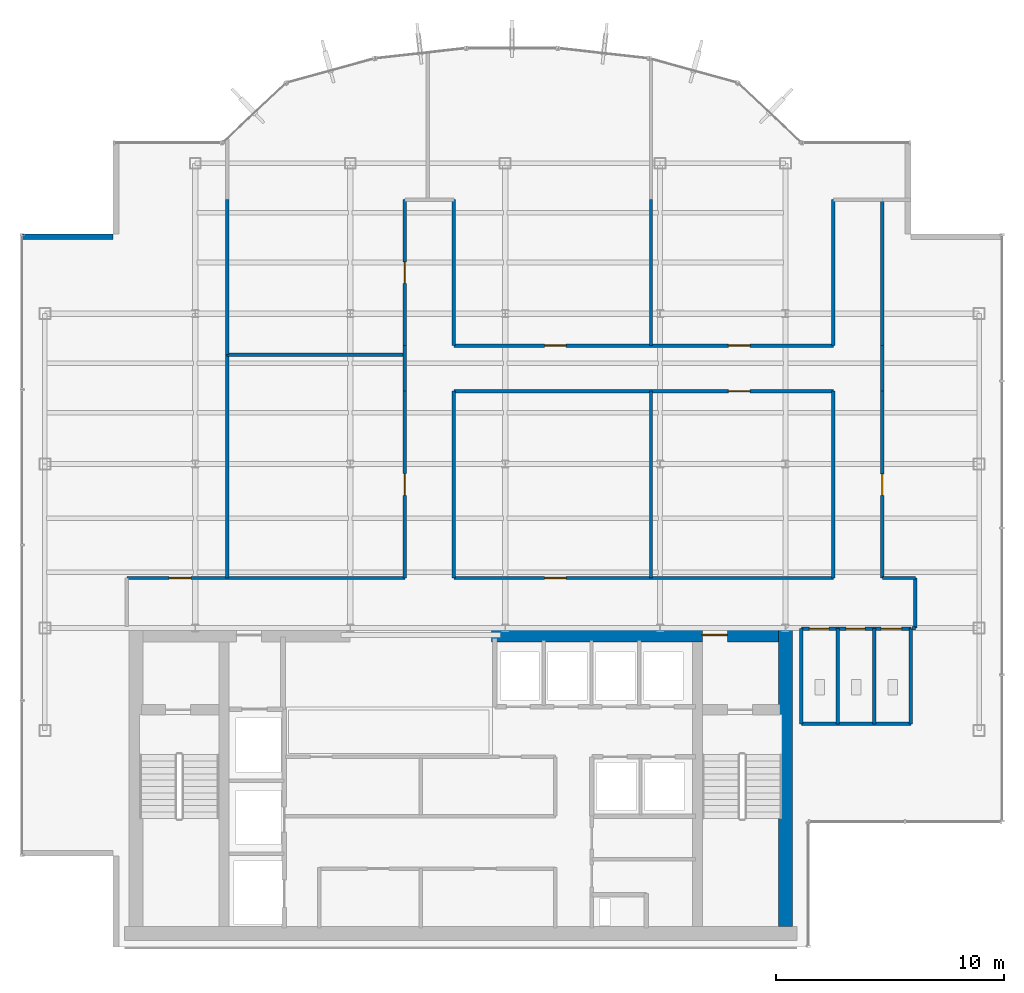
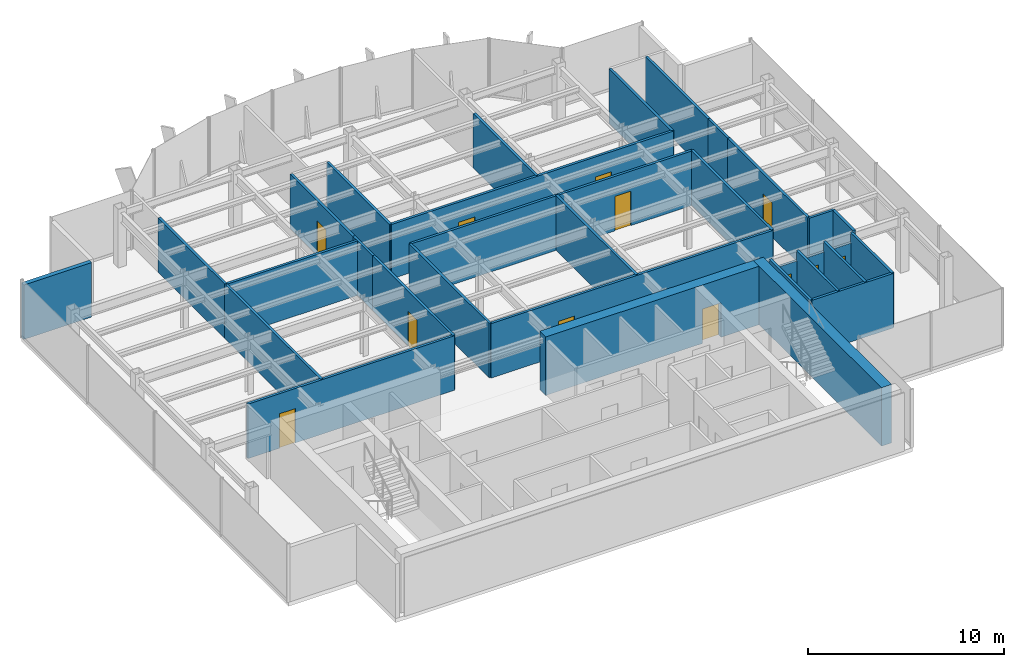
# One storey, part 18 of 22: 31 walls, 12 doors, 12 openings.
"""IFC4 building model written with IfcOpenShell, lengths in metres."""

from ifc_helpers import new_model, si_unit, derived_unit, direction, frame, frame_2d, origin, place, context, subcontext, project, spatial, rectangle, extrude, source, transform, mapped, material, layer, layer_set, type_object, element, fill, save


model = new_model("IFC4")

# Units and contexts
model_context = context("Model", 3, precision=1e-05, world=origin(), true_north=direction((0.0, 1.0)))
body_context = subcontext(model_context, "Body", "Model", "MODEL_VIEW")
ifc_project = project(units=[si_unit("LENGTHUNIT", "METRE"), si_unit("AREAUNIT", "SQUARE_METRE"), si_unit("VOLUMEUNIT", "CUBIC_METRE"), si_unit("PLANEANGLEUNIT", "RADIAN"), si_unit("MASSUNIT", "GRAM", prefix="KILO"), derived_unit("THERMALTRANSMITTANCEUNIT", [(si_unit("POWERUNIT", "WATT"), 1), (si_unit("LENGTHUNIT", "METRE"), -2), (si_unit("THERMODYNAMICTEMPERATUREUNIT", "KELVIN"), -1)])], contexts=[model_context])

# Site, building, storey
site_placement = place(None, origin())
site = spatial("IfcSite", under=ifc_project, at=site_placement, CompositionType="ELEMENT")
building_placement = place(site_placement, origin())
building = spatial("IfcBuilding", under=site, at=building_placement, Name="Skarnbrae Concourse Arena and Tower", CompositionType="ELEMENT")
storey_placement = place(building_placement, frame((0.0, 0.0, 280.699951171875)))
storey = spatial("IfcBuildingStorey", under=building, at=storey_placement, Name="L73", CompositionType="ELEMENT", Elevation=280.699951171875)

# Wall
ifc_material_1 = material(Name="Concrete 50 MPa (C50/60)", Category="concrete")
ifc_layer_1 = layer(ifc_material_1, 0.60009765625)
ifc_layer_set_1 = layer_set([ifc_layer_1], Name="Concrete 50 MPa (C50/60)")
wall_type_1 = type_object("IfcWallType", Name="WALL-CORE-600-C50", PredefinedType="SHEAR", material=ifc_layer_set_1)
shared_shape_1 = source(origin(), body_context, "Body", "SweptSolid", [
    extrude(rectangle(XDim=13.10009765625, YDim=0.60009765625, at=frame_2d((6.550048828125, 0.0))), origin(), (0.0, 0.0, 1.0), 3.650146484375),
])
wall_1_placement = place(storey_placement, frame((33.5, 0.89990234375, 0.0), z_axis=(0.0, 0.0, 1.0), x_axis=(0.0, 1.0, 0.0)))
element("IfcWall", 1, at=wall_1_placement, inside=storey, type_object=wall_type_1, Name="L73 Rear core shear wall CW-E", PredefinedType="SHEAR", context=body_context, shape_type="MappedRepresentation", body=[
    mapped(shared_shape_1, transform((0.0, 0.0, 0.0))),
])

# Wall, opening, door
shared_shape_2 = source(origin(), body_context, "Body", "SweptSolid", [
    extrude(rectangle(XDim=12.599853515625, YDim=0.60009765625, at=frame_2d((6.2998046875, 0.0))), origin(), (0.0, 0.0, 1.0), 3.650146484375),
])
wall_2_placement = place(storey_placement, frame((20.60009765625, 13.699951171875, 0.0), z_axis=(0.0, 0.0, 1.0), x_axis=(1.0, 0.0, 0.0)))
wall_2 = element("IfcWall", 2, at=wall_2_placement, inside=storey, type_object=wall_type_1, Name="L73 Rear core shear wall CW-NE", PredefinedType="SHEAR", context=body_context, shape_type="MappedRepresentation", body=[
    mapped(shared_shape_2, transform((0.0, 0.0, 0.0))),
])
opening_1_placement = place(wall_2_placement, frame((9.25, 0.0, 0.0)))
opening_1 = element("IfcOpeningElement", 3, at=opening_1_placement, cuts=wall_2, Name="Opening DT-03", PredefinedType="OPENING", context=body_context, shape_type="SweptSolid", body=[
    extrude(rectangle(XDim=1.10009765625, YDim=2.14990234375, at=frame_2d((0.550048828125, 1.074951171875))), frame((0.0, 0.31005859375, 0.0), z_axis=(0.0, -1.0, 0.0), x_axis=(1.0, 0.0, 0.0)), (0.0, 0.0, 1.0), 0.6201171875),
])
ifc_material_2 = material(Name="Steel CSA G40.21 350W", Category="steel")
door_type_1 = type_object("IfcDoorType", Name="DOOR-FIRE-1100-90M", OperationType="NOTDEFINED", PredefinedType="DOOR", material=ifc_material_2)
shared_shape_3 = source(origin(), body_context, "Body", "SweptSolid", [
    extrude(rectangle(XDim=1.10009765625, YDim=2.14990234375, at=frame_2d((0.550048828125, 1.074951171875))), frame((0.0, 0.02490234375, 0.0), z_axis=(0.0, -1.0, 0.0), x_axis=(1.0, 0.0, 0.0)), (0.0, 0.0, 1.0), 0.050048828125),
])
door_1_placement = place(opening_1_placement, origin())
door_1 = element("IfcDoor", 4, at=door_1_placement, inside=storey, type_object=door_type_1, Name="D-2205 Stair ST-2 Vestibule Door", OperationType="SINGLE_SWING_LEFT", OverallHeight=2.14990234375, OverallWidth=1.10009765625, PredefinedType="DOOR", context=body_context, shape_type="MappedRepresentation", body=[
    mapped(shared_shape_3, transform((0.0, 0.0, 0.0))),
])
fill(opening_1, door_1)

# Walls
ifc_material_3 = material(Name="Precast concrete 40 MPa (C40/50)", Category="concrete")
ifc_layer_2 = layer(ifc_material_3, 0.25)
ifc_layer_set_2 = layer_set([ifc_layer_2], Name="Precast concrete 40 MPa (C40/50)")
wall_type_2 = type_object("IfcWallType", Name="WALL-EXT-SPANDREL-250", PredefinedType="STANDARD", material=ifc_layer_set_2)
shared_shape_4 = source(origin(), body_context, "Body", "SweptSolid", [
    extrude(rectangle(XDim=4.0, YDim=0.25, at=frame_2d((2.0, 0.0))), origin(), (0.0, 0.0, 1.0), 3.400146484375),
])
wall_3_placement = place(storey_placement, frame((4.0, 31.175048828125, 0.0), z_axis=(0.0, 0.0, 1.0), x_axis=(-1.0, 0.0, 0.0)))
element("IfcWall", 5, at=wall_3_placement, inside=storey, type_object=wall_type_2, Name="L73 Notched corner insulated return wall 17", PredefinedType="STANDARD", context=body_context, shape_type="MappedRepresentation", body=[
    mapped(shared_shape_4, transform((0.0, 0.0, 0.0))),
])
ifc_material_4 = material(Name="Gypsum board on cold-formed steel studs", Category="steel")
ifc_layer_3 = layer(ifc_material_4, 0.14990234375)
ifc_layer_set_3 = layer_set([ifc_layer_3], Name="Gypsum board on cold-formed steel studs")
wall_type_3 = type_object("IfcWallType", Name="WALL-PART-150", PredefinedType="PARTITIONING", material=ifc_layer_set_3)
shared_shape_5 = source(origin(), body_context, "Body", "SweptSolid", [
    extrude(rectangle(XDim=4.800048828125, YDim=0.14990234375, at=frame_2d((2.39990234375, 0.0))), origin(), (0.0, 0.0, 1.0), 3.400146484375),
])
wall_4_placement = place(storey_placement, frame((34.199951171875, 9.800048828125, 0.0), z_axis=(0.0, 0.0, 1.0), x_axis=(1.0, 0.0, 0.0)))
element("IfcWall", 6, at=wall_4_placement, inside=storey, type_object=wall_type_3, Name="L73 Interior partition wall W-L73-WC-S", PredefinedType="PARTITIONING", context=body_context, shape_type="MappedRepresentation", body=[
    mapped(shared_shape_5, transform((0.0, 0.0, 0.0))),
])
shared_shape_6 = source(origin(), body_context, "Body", "SweptSolid", [
    extrude(rectangle(XDim=4.179931640625, YDim=0.14990234375, at=frame_2d((2.08984375, 0.0))), origin(), (0.0, 0.0, 1.0), 3.400146484375),
])
for number, where, z_axis, x_axis, name in (
    (7, (39.0, 9.800048828125, 0.0), (0.0, 0.0, 1.0), (0.0, 1.0, 0.0), "L73 Interior partition wall W-L73-WC-E"),
    (8, (34.199951171875, 9.800048828125, 0.0), (0.0, 0.0, 1.0), (0.0, 1.0, 0.0), "L73 Interior partition wall W-L73-WC-W"),
    (9, (35.800048828125, 9.800048828125, 0.0), (0.0, 0.0, 1.0), (0.0, 1.0, 0.0), "L73 Interior partition wall W-L73-WC-D1"),
    (10, (37.39990234375, 9.800048828125, 0.0), (0.0, 0.0, 1.0), (0.0, 1.0, 0.0), "L73 Interior partition wall W-L73-WC-D2"),
):
    element("IfcWall", number, at=place(storey_placement, frame(where, z_axis=z_axis, x_axis=x_axis)), inside=storey, type_object=wall_type_3, Name=name, PredefinedType="PARTITIONING", context=body_context, shape_type="MappedRepresentation", body=[
        mapped(shared_shape_6, transform((0.0, 0.0, 0.0))),
    ])

# Wall, opening, door
ifc_layer_4 = layer(ifc_material_4, 0.14990234375)
ifc_layer_set_4 = layer_set([ifc_layer_4], Name="Gypsum board on cold-formed steel studs")
wall_type_4 = type_object("IfcWallType", Name="WALL-PART-150-1HR", PredefinedType="PARTITIONING", material=ifc_layer_set_4)
shared_shape_7 = source(origin(), body_context, "Body", "SweptSolid", [
    extrude(rectangle(XDim=6.400146484375, YDim=0.14990234375, at=frame_2d((3.2001953125, 0.0))), origin(), (0.0, 0.0, 1.0), 3.400146484375),
])
wall_5_placement = place(storey_placement, frame((16.800048828125, 26.39990234375, 0.0), z_axis=(0.0, 0.0, 1.0), x_axis=(0.0, 1.0, 0.0)))
wall_5 = element("IfcWall", 11, at=wall_5_placement, inside=storey, type_object=wall_type_4, Name="L73 Interior partition wall W-L73-COR-05", PredefinedType="PARTITIONING", context=body_context, shape_type="MappedRepresentation", body=[
    mapped(shared_shape_7, transform((0.0, 0.0, 0.0))),
])
opening_2_placement = place(wall_5_placement, frame((2.72509765625, 0.0, 0.0)))
opening_2 = element("IfcOpeningElement", 12, at=opening_2_placement, cuts=wall_5, Name="Opening DT-04", PredefinedType="OPENING", context=body_context, shape_type="SweptSolid", body=[
    extrude(rectangle(XDim=0.949951171875, YDim=2.14990234375, at=frame_2d((0.47509765625, 1.074951171875))), frame((0.0, 0.0849609375, 0.0), z_axis=(0.0, -1.0, 0.0), x_axis=(1.0, 0.0, 0.0)), (0.0, 0.0, 1.0), 0.169921875),
])
door_type_2 = type_object("IfcDoorType", Name="DOOR-INT-950-45M", OperationType="NOTDEFINED", PredefinedType="DOOR", material=ifc_material_2)
shared_shape_8 = source(origin(), body_context, "Body", "SweptSolid", [
    extrude(rectangle(XDim=0.949951171875, YDim=2.14990234375, at=frame_2d((0.47509765625, 1.074951171875))), frame((0.0, 0.02490234375, 0.0), z_axis=(0.0, -1.0, 0.0), x_axis=(1.0, 0.0, 0.0)), (0.0, 0.0, 1.0), 0.050048828125),
])
door_2_placement = place(opening_2_placement, origin())
door_2 = element("IfcDoor", 13, at=door_2_placement, inside=storey, type_object=door_type_2, Name="D-2226 L73 Suite Door 03", OperationType="SINGLE_SWING_LEFT", OverallHeight=2.14990234375, OverallWidth=0.949951171875, PredefinedType="DOOR", context=body_context, shape_type="MappedRepresentation", body=[
    mapped(shared_shape_8, transform((0.0, 0.0, 0.0))),
])
fill(opening_2, door_2)

# Walls
for number, where, z_axis, x_axis, name in (
    (14, (18.949951171875, 32.800048828125, 0.0), (0.0, 0.0, 1.0), (0.0, -1.0, 0.0), "L73 Interior partition wall W-L73-COR-07"),
    (15, (35.60009765625, 26.39990234375, 0.0), (0.0, 0.0, 1.0), (0.0, 1.0, 0.0), "L73 Interior partition wall W-L73-COR-09"),
    (16, (37.75, 32.800048828125, 0.0), (0.0, 0.0, 1.0), (0.0, -1.0, 0.0), "L73 Interior partition wall W-L73-COR-11"),
):
    element("IfcWall", number, at=place(storey_placement, frame(where, z_axis=z_axis, x_axis=x_axis)), inside=storey, type_object=wall_type_4, Name=name, PredefinedType="PARTITIONING", context=body_context, shape_type="MappedRepresentation", body=[
        mapped(shared_shape_7, transform((0.0, 0.0, 0.0))),
    ])
wall_6_placement = place(storey_placement, frame((27.60009765625, 32.800048828125, 0.0), z_axis=(0.0, 0.0, 1.0), x_axis=(0.0, -1.0, 0.0)))
element("IfcWall", 17, at=wall_6_placement, inside=storey, type_object=wall_type_3, Name="L73 Interior partition wall W-L73-DEM-28", PredefinedType="PARTITIONING", context=body_context, shape_type="MappedRepresentation", body=[
    mapped(shared_shape_7, transform((0.0, 0.0, 0.0))),
])
shared_shape_9 = source(origin(), body_context, "Body", "SweptSolid", [
    extrude(rectangle(XDim=2.199951171875, YDim=0.14990234375, at=frame_2d((1.10009765625, 0.0))), origin(), (0.0, 0.0, 1.0), 3.400146484375),
])
wall_7_placement = place(storey_placement, frame((39.199951171875, 16.199951171875, 0.0), z_axis=(0.0, 0.0, 1.0), x_axis=(0.0, -1.0, 0.0)))
element("IfcWall", 18, at=wall_7_placement, inside=storey, type_object=wall_type_4, Name="L73 Interior partition wall W-L73-COR-15", PredefinedType="PARTITIONING", context=body_context, shape_type="MappedRepresentation", body=[
    mapped(shared_shape_9, transform((0.0, 0.0, 0.0))),
])
shared_shape_10 = source(origin(), body_context, "Body", "SweptSolid", [
    extrude(rectangle(XDim=7.800048828125, YDim=0.14990234375, at=frame_2d((3.89990234375, 0.0))), origin(), (0.0, 0.0, 1.0), 3.400146484375),
])
wall_8_placement = place(storey_placement, frame((9.0, 26.0, 0.0), z_axis=(0.0, 0.0, 1.0), x_axis=(1.0, 0.0, 0.0)))
element("IfcWall", 19, at=wall_8_placement, inside=storey, type_object=wall_type_3, Name="L73 Interior partition wall W-L73-DEM-22", PredefinedType="PARTITIONING", context=body_context, shape_type="MappedRepresentation", body=[
    mapped(shared_shape_10, transform((0.0, 0.0, 0.0))),
])

# Wall, opening, door
shared_shape_11 = source(origin(), body_context, "Body", "SweptSolid", [
    extrude(rectangle(XDim=8.199951171875, YDim=0.14990234375, at=frame_2d((4.10009765625, 0.0))), origin(), (0.0, 0.0, 1.0), 3.400146484375),
])
wall_9_placement = place(storey_placement, frame((16.800048828125, 16.199951171875, 0.0), z_axis=(0.0, 0.0, 1.0), x_axis=(0.0, 1.0, 0.0)))
wall_9 = element("IfcWall", 20, at=wall_9_placement, inside=storey, type_object=wall_type_4, Name="L73 Interior partition wall W-L73-COR-03", PredefinedType="PARTITIONING", context=body_context, shape_type="MappedRepresentation", body=[
    mapped(shared_shape_11, transform((0.0, 0.0, 0.0))),
])
opening_3_placement = place(wall_9_placement, frame((3.625, 0.0, 0.0)))
opening_3 = element("IfcOpeningElement", 21, at=opening_3_placement, cuts=wall_9, Name="Opening DT-04", PredefinedType="OPENING", context=body_context, shape_type="SweptSolid", body=[
    extrude(rectangle(XDim=0.949951171875, YDim=2.14990234375, at=frame_2d((0.47509765625, 1.074951171875))), frame((0.0, 0.0849609375, 0.0), z_axis=(0.0, -1.0, 0.0), x_axis=(1.0, 0.0, 0.0)), (0.0, 0.0, 1.0), 0.169921875),
])
door_3_placement = place(opening_3_placement, origin())
door_3 = element("IfcDoor", 22, at=door_3_placement, inside=storey, type_object=door_type_2, Name="D-2225 L73 Suite Door 02", OperationType="SINGLE_SWING_RIGHT", OverallHeight=2.14990234375, OverallWidth=0.949951171875, PredefinedType="DOOR", context=body_context, shape_type="MappedRepresentation", body=[
    mapped(shared_shape_8, transform((0.0, 0.0, 0.0))),
])
fill(opening_3, door_3)

wall_10_placement = place(storey_placement, frame((37.75, 24.39990234375, 0.0), z_axis=(0.0, 0.0, 1.0), x_axis=(0.0, -1.0, 0.0)))
wall_10 = element("IfcWall", 23, at=wall_10_placement, inside=storey, type_object=wall_type_4, Name="L73 Interior partition wall W-L73-COR-13", PredefinedType="PARTITIONING", context=body_context, shape_type="MappedRepresentation", body=[
    mapped(shared_shape_11, transform((0.0, 0.0, 0.0))),
])
opening_4_placement = place(wall_10_placement, frame((3.625, 0.0, 0.0)))
opening_4 = element("IfcOpeningElement", 24, at=opening_4_placement, cuts=wall_10, Name="Opening DT-04", PredefinedType="OPENING", context=body_context, shape_type="SweptSolid", body=[
    extrude(rectangle(XDim=0.949951171875, YDim=2.14990234375, at=frame_2d((0.47509765625, 1.074951171875))), frame((0.0, 0.0849609375, 0.0), z_axis=(0.0, -1.0, 0.0), x_axis=(1.0, 0.0, 0.0)), (0.0, 0.0, 1.0), 0.169921875),
])
door_4_placement = place(opening_4_placement, origin())
door_4 = element("IfcDoor", 25, at=door_4_placement, inside=storey, type_object=door_type_2, Name="D-2231 L73 Suite Door 08", OperationType="SINGLE_SWING_RIGHT", OverallHeight=2.14990234375, OverallWidth=0.949951171875, PredefinedType="DOOR", context=body_context, shape_type="MappedRepresentation", body=[
    mapped(shared_shape_8, transform((0.0, 0.0, 0.0))),
])
fill(opening_4, door_4)

# Walls
for number, where, z_axis, x_axis, name in (
    (26, (35.60009765625, 16.199951171875, 0.0), (0.0, 0.0, 1.0), (0.0, 1.0, 0.0), "L73 Interior partition wall W-L73-COR-18"),
    (27, (18.949951171875, 24.39990234375, 0.0), (0.0, 0.0, 1.0), (0.0, -1.0, 0.0), "L73 Interior partition wall W-L73-COR-20"),
):
    element("IfcWall", number, at=place(storey_placement, frame(where, z_axis=z_axis, x_axis=x_axis)), inside=storey, type_object=wall_type_4, Name=name, PredefinedType="PARTITIONING", context=body_context, shape_type="MappedRepresentation", body=[
        mapped(shared_shape_11, transform((0.0, 0.0, 0.0))),
    ])
wall_11_placement = place(storey_placement, frame((27.60009765625, 24.39990234375, 0.0), z_axis=(0.0, 0.0, 1.0), x_axis=(0.0, -1.0, 0.0)))
element("IfcWall", 28, at=wall_11_placement, inside=storey, type_object=wall_type_3, Name="L73 Interior partition wall W-L73-DEM-26", PredefinedType="PARTITIONING", context=body_context, shape_type="MappedRepresentation", body=[
    mapped(shared_shape_11, transform((0.0, 0.0, 0.0))),
])

# Wall, opening, door
shared_shape_12 = source(origin(), body_context, "Body", "SweptSolid", [
    extrude(rectangle(XDim=12.199951171875, YDim=0.14990234375, at=frame_2d((6.10009765625, 0.0))), origin(), (0.0, 0.0, 1.0), 3.400146484375),
])
wall_12_placement = place(storey_placement, frame((4.60009765625, 16.199951171875, 0.0), z_axis=(0.0, 0.0, 1.0), x_axis=(1.0, 0.0, 0.0)))
wall_12 = element("IfcWall", 29, at=wall_12_placement, inside=storey, type_object=wall_type_4, Name="L73 Interior partition wall W-L73-COR-02", PredefinedType="PARTITIONING", context=body_context, shape_type="MappedRepresentation", body=[
    mapped(shared_shape_12, transform((0.0, 0.0, 0.0))),
])
opening_5_placement = place(wall_12_placement, frame((1.85498046875, 0.0, 0.0)))
opening_5 = element("IfcOpeningElement", 30, at=opening_5_placement, cuts=wall_12, Name="Opening DT-04", PredefinedType="OPENING", context=body_context, shape_type="SweptSolid", body=[
    extrude(rectangle(XDim=0.949951171875, YDim=2.14990234375, at=frame_2d((0.47509765625, 1.074951171875))), frame((0.0, 0.0849609375, 0.0), z_axis=(0.0, -1.0, 0.0), x_axis=(1.0, 0.0, 0.0)), (0.0, 0.0, 1.0), 0.169921875),
])
door_5_placement = place(opening_5_placement, origin())
door_5 = element("IfcDoor", 31, at=door_5_placement, inside=storey, type_object=door_type_2, Name="D-2224 L73 Suite Door 01", OperationType="SINGLE_SWING_LEFT", OverallHeight=2.14990234375, OverallWidth=0.949951171875, PredefinedType="DOOR", context=body_context, shape_type="MappedRepresentation", body=[
    mapped(shared_shape_8, transform((0.0, 0.0, 0.0))),
])
fill(opening_5, door_5)

# Wall, openings, doors
shared_shape_13 = source(origin(), body_context, "Body", "SweptSolid", [
    extrude(rectangle(XDim=4.800048828125, YDim=0.14990234375, at=frame_2d((2.39990234375, 0.0))), origin(), (0.0, 0.0, 1.0), 2.787109375),
])
wall_13_placement = place(storey_placement, frame((34.199951171875, 13.97998046875, 0.0), z_axis=(0.0, 0.0, 1.0), x_axis=(1.0, 0.0, 0.0)))
wall_13 = element("IfcWall", 32, at=wall_13_placement, inside=storey, type_object=wall_type_3, Name="L73 Interior partition wall W-L73-WC-N", PredefinedType="PARTITIONING", context=body_context, shape_type="MappedRepresentation", body=[
    mapped(shared_shape_13, transform((0.0, 0.0, 0.0))),
])
opening_6_placement = place(wall_13_placement, frame((0.35009765625, 0.0, 0.0)))
opening_6 = element("IfcOpeningElement", 33, at=opening_6_placement, cuts=wall_13, Name="Opening DT-06", PredefinedType="OPENING", context=body_context, shape_type="SweptSolid", body=[
    extrude(rectangle(XDim=0.85009765625, YDim=2.10009765625, at=frame_2d((0.425048828125, 1.050048828125))), frame((0.0, 0.0849609375, 0.0), z_axis=(0.0, -1.0, 0.0), x_axis=(1.0, 0.0, 0.0)), (0.0, 0.0, 1.0), 0.169921875),
])
opening_7_placement = place(wall_13_placement, frame((1.949951171875, 0.0, 0.0)))
opening_7 = element("IfcOpeningElement", 34, at=opening_7_placement, cuts=wall_13, Name="Opening DT-06", PredefinedType="OPENING", context=body_context, shape_type="SweptSolid", body=[
    extrude(rectangle(XDim=0.85009765625, YDim=2.10009765625, at=frame_2d((0.425048828125, 1.050048828125))), frame((0.0, 0.0849609375, 0.0), z_axis=(0.0, -1.0, 0.0), x_axis=(1.0, 0.0, 0.0)), (0.0, 0.0, 1.0), 0.169921875),
])
opening_8_placement = place(wall_13_placement, frame((3.5, 0.0, 0.0)))
opening_8 = element("IfcOpeningElement", 35, at=opening_8_placement, cuts=wall_13, Name="Opening DT-05", PredefinedType="OPENING", context=body_context, shape_type="SweptSolid", body=[
    extrude(rectangle(XDim=0.89990234375, YDim=2.10009765625, at=frame_2d((0.449951171875, 1.050048828125))), frame((0.0, 0.0849609375, 0.0), z_axis=(0.0, -1.0, 0.0), x_axis=(1.0, 0.0, 0.0)), (0.0, 0.0, 1.0), 0.169921875),
])
ifc_material_5 = material(Name="Architectural oak veneer timber leaf", Category="wood")
door_type_3 = type_object("IfcDoorType", Name="DOOR-INT-850", OperationType="NOTDEFINED", PredefinedType="DOOR", material=ifc_material_5)
shared_shape_14 = source(origin(), body_context, "Body", "SweptSolid", [
    extrude(rectangle(XDim=0.85009765625, YDim=2.10009765625, at=frame_2d((0.425048828125, 1.050048828125))), frame((0.0, 0.02490234375, 0.0), z_axis=(0.0, -1.0, 0.0), x_axis=(1.0, 0.0, 0.0)), (0.0, 0.0, 1.0), 0.050048828125),
])
door_6_placement = place(opening_6_placement, frame((0.85009765625, 0.0, 0.0), z_axis=(0.0, 0.0, 1.0), x_axis=(-1.0, 0.0, 0.0)))
door_6 = element("IfcDoor", 36, at=door_6_placement, inside=storey, type_object=door_type_3, Name="D-2221 Male Washroom Door", OperationType="SINGLE_SWING_LEFT", OverallHeight=2.10009765625, OverallWidth=0.85009765625, PredefinedType="DOOR", context=body_context, shape_type="MappedRepresentation", body=[
    mapped(shared_shape_14, transform((0.0, 0.0, 0.0))),
])
fill(opening_6, door_6)
door_7_placement = place(opening_7_placement, frame((0.85009765625, 0.0, 0.0), z_axis=(0.0, 0.0, 1.0), x_axis=(-1.0, 0.0, 0.0)))
door_7 = element("IfcDoor", 37, at=door_7_placement, inside=storey, type_object=door_type_3, Name="D-2222 Female Washroom Door", OperationType="SINGLE_SWING_RIGHT", OverallHeight=2.10009765625, OverallWidth=0.85009765625, PredefinedType="DOOR", context=body_context, shape_type="MappedRepresentation", body=[
    mapped(shared_shape_14, transform((0.0, 0.0, 0.0))),
])
fill(opening_7, door_7)
door_type_4 = type_object("IfcDoorType", Name="DOOR-INT-900", OperationType="NOTDEFINED", PredefinedType="DOOR", material=ifc_material_5)
shared_shape_15 = source(origin(), body_context, "Body", "SweptSolid", [
    extrude(rectangle(XDim=0.89990234375, YDim=2.10009765625, at=frame_2d((0.449951171875, 1.050048828125))), frame((0.0, 0.02490234375, 0.0), z_axis=(0.0, -1.0, 0.0), x_axis=(1.0, 0.0, 0.0)), (0.0, 0.0, 1.0), 0.050048828125),
])
door_8_placement = place(opening_8_placement, frame((0.89990234375, 0.0, 0.0), z_axis=(0.0, 0.0, 1.0), x_axis=(-1.0, 0.0, 0.0)))
door_8 = element("IfcDoor", 38, at=door_8_placement, inside=storey, type_object=door_type_4, Name="D-2223 Accessible WC Door", OperationType="SINGLE_SWING_LEFT", OverallHeight=2.10009765625, OverallWidth=0.89990234375, PredefinedType="DOOR", context=body_context, shape_type="MappedRepresentation", body=[
    mapped(shared_shape_15, transform((0.0, 0.0, 0.0))),
])
fill(opening_8, door_8)

# Walls
shared_shape_16 = source(origin(), body_context, "Body", "SweptSolid", [
    extrude(rectangle(XDim=0.14990234375, YDim=0.14990234375, at=frame_2d((0.074951171875, 0.0))), origin(), (0.0, 0.0, 1.0), 3.400146484375),
])
wall_14_placement = place(storey_placement, frame((39.199951171875, 14.0, 0.0), z_axis=(0.0, 0.0, 1.0), x_axis=(-1.0, 0.0, 0.0)))
element("IfcWall", 39, at=wall_14_placement, inside=storey, type_object=wall_type_4, Name="L73 Interior partition wall W-L73-COR-16", PredefinedType="PARTITIONING", context=body_context, shape_type="MappedRepresentation", body=[
    mapped(shared_shape_16, transform((0.0, 0.0, 0.0))),
])
shared_shape_17 = source(origin(), body_context, "Body", "SweptSolid", [
    extrude(rectangle(XDim=6.800048828125, YDim=0.14990234375, at=frame_2d((3.39990234375, 0.0))), origin(), (0.0, 0.0, 1.0), 3.400146484375),
])
wall_15_placement = place(storey_placement, frame((9.0, 32.800048828125, 0.0), z_axis=(0.0, 0.0, 1.0), x_axis=(0.0, -1.0, 0.0)))
element("IfcWall", 40, at=wall_15_placement, inside=storey, type_object=wall_type_3, Name="L73 Interior partition wall W-L73-DEM-24", PredefinedType="PARTITIONING", context=body_context, shape_type="MappedRepresentation", body=[
    mapped(shared_shape_17, transform((0.0, 0.0, 0.0))),
])
shared_shape_18 = source(origin(), body_context, "Body", "SweptSolid", [
    extrude(rectangle(XDim=2.0, YDim=0.14990234375, at=frame_2d((1.0, 0.0))), origin(), (0.0, 0.0, 1.0), 3.400146484375),
])
for number, where, z_axis, x_axis, name in (
    (41, (16.800048828125, 24.39990234375, 0.0), (0.0, 0.0, 1.0), (0.0, 1.0, 0.0), "L73 Interior partition wall W-L73-COR-04"),
    (42, (37.75, 26.39990234375, 0.0), (0.0, 0.0, 1.0), (0.0, -1.0, 0.0), "L73 Interior partition wall W-L73-COR-12"),
):
    element("IfcWall", number, at=place(storey_placement, frame(where, z_axis=z_axis, x_axis=x_axis)), inside=storey, type_object=wall_type_4, Name=name, PredefinedType="PARTITIONING", context=body_context, shape_type="MappedRepresentation", body=[
        mapped(shared_shape_18, transform((0.0, 0.0, 0.0))),
    ])
shared_shape_19 = source(origin(), body_context, "Body", "SweptSolid", [
    extrude(rectangle(XDim=1.449951171875, YDim=0.14990234375, at=frame_2d((0.72509765625, 0.0))), origin(), (0.0, 0.0, 1.0), 3.400146484375),
])
wall_16_placement = place(storey_placement, frame((37.75, 16.199951171875, 0.0), z_axis=(0.0, 0.0, 1.0), x_axis=(1.0, 0.0, 0.0)))
element("IfcWall", 43, at=wall_16_placement, inside=storey, type_object=wall_type_4, Name="L73 Interior partition wall W-L73-COR-14", PredefinedType="PARTITIONING", context=body_context, shape_type="MappedRepresentation", body=[
    mapped(shared_shape_19, transform((0.0, 0.0, 0.0))),
])

# Wall, openings, doors
shared_shape_20 = source(origin(), body_context, "Body", "SweptSolid", [
    extrude(rectangle(XDim=16.650146484375, YDim=0.14990234375, at=frame_2d((8.3251953125, 0.0))), origin(), (0.0, 0.0, 1.0), 3.400146484375),
])
wall_17_placement = place(storey_placement, frame((18.949951171875, 26.39990234375, 0.0), z_axis=(0.0, 0.0, 1.0), x_axis=(1.0, 0.0, 0.0)))
wall_17 = element("IfcWall", 44, at=wall_17_placement, inside=storey, type_object=wall_type_4, Name="L73 Interior partition wall W-L73-COR-08", PredefinedType="PARTITIONING", context=body_context, shape_type="MappedRepresentation", body=[
    mapped(shared_shape_20, transform((0.0, 0.0, 0.0))),
])
opening_9_placement = place(wall_17_placement, frame((3.97998046875, 0.0, 0.0)))
opening_9 = element("IfcOpeningElement", 45, at=opening_9_placement, cuts=wall_17, Name="Opening DT-04", PredefinedType="OPENING", context=body_context, shape_type="SweptSolid", body=[
    extrude(rectangle(XDim=0.949951171875, YDim=2.14990234375, at=frame_2d((0.47509765625, 1.074951171875))), frame((0.0, 0.0849609375, 0.0), z_axis=(0.0, -1.0, 0.0), x_axis=(1.0, 0.0, 0.0)), (0.0, 0.0, 1.0), 0.169921875),
])
opening_10_placement = place(wall_17_placement, frame((12.044921875, 0.0, 0.0)))
opening_10 = element("IfcOpeningElement", 46, at=opening_10_placement, cuts=wall_17, Name="Opening DT-04", PredefinedType="OPENING", context=body_context, shape_type="SweptSolid", body=[
    extrude(rectangle(XDim=0.949951171875, YDim=2.14990234375, at=frame_2d((0.47509765625, 1.074951171875))), frame((0.0, 0.0849609375, 0.0), z_axis=(0.0, -1.0, 0.0), x_axis=(1.0, 0.0, 0.0)), (0.0, 0.0, 1.0), 0.169921875),
])
door_9_placement = place(opening_9_placement, origin())
door_9 = element("IfcDoor", 47, at=door_9_placement, inside=storey, type_object=door_type_2, Name="D-2227 L73 Suite Door 04", OperationType="SINGLE_SWING_RIGHT", OverallHeight=2.14990234375, OverallWidth=0.949951171875, PredefinedType="DOOR", context=body_context, shape_type="MappedRepresentation", body=[
    mapped(shared_shape_8, transform((0.0, 0.0, 0.0))),
])
fill(opening_9, door_9)
door_10_placement = place(opening_10_placement, origin())
door_10 = element("IfcDoor", 48, at=door_10_placement, inside=storey, type_object=door_type_2, Name="D-2230 L73 Suite Door 07", OperationType="SINGLE_SWING_LEFT", OverallHeight=2.14990234375, OverallWidth=0.949951171875, PredefinedType="DOOR", context=body_context, shape_type="MappedRepresentation", body=[
    mapped(shared_shape_8, transform((0.0, 0.0, 0.0))),
])
fill(opening_10, door_10)

# Wall, opening, door
wall_18_placement = place(storey_placement, frame((18.949951171875, 16.199951171875, 0.0), z_axis=(0.0, 0.0, 1.0), x_axis=(1.0, 0.0, 0.0)))
wall_18 = element("IfcWall", 49, at=wall_18_placement, inside=storey, type_object=wall_type_4, Name="L73 Interior partition wall W-L73-COR-17", PredefinedType="PARTITIONING", context=body_context, shape_type="MappedRepresentation", body=[
    mapped(shared_shape_20, transform((0.0, 0.0, 0.0))),
])
opening_11_placement = place(wall_18_placement, frame((3.97998046875, 0.0, 0.0)))
opening_11 = element("IfcOpeningElement", 50, at=opening_11_placement, cuts=wall_18, Name="Opening DT-04", PredefinedType="OPENING", context=body_context, shape_type="SweptSolid", body=[
    extrude(rectangle(XDim=0.949951171875, YDim=2.14990234375, at=frame_2d((0.47509765625, 1.074951171875))), frame((0.0, 0.0849609375, 0.0), z_axis=(0.0, -1.0, 0.0), x_axis=(1.0, 0.0, 0.0)), (0.0, 0.0, 1.0), 0.169921875),
])
door_11_placement = place(opening_11_placement, origin())
door_11 = element("IfcDoor", 51, at=door_11_placement, inside=storey, type_object=door_type_2, Name="D-2228 L73 Suite Door 05", OperationType="SINGLE_SWING_LEFT", OverallHeight=2.14990234375, OverallWidth=0.949951171875, PredefinedType="DOOR", context=body_context, shape_type="MappedRepresentation", body=[
    mapped(shared_shape_8, transform((0.0, 0.0, 0.0))),
])
fill(opening_11, door_11)

wall_19_placement = place(storey_placement, frame((35.60009765625, 24.39990234375, 0.0), z_axis=(0.0, 0.0, 1.0), x_axis=(-1.0, 0.0, 0.0)))
wall_19 = element("IfcWall", 52, at=wall_19_placement, inside=storey, type_object=wall_type_4, Name="L73 Interior partition wall W-L73-COR-19", PredefinedType="PARTITIONING", context=body_context, shape_type="MappedRepresentation", body=[
    mapped(shared_shape_20, transform((0.0, 0.0, 0.0))),
])
opening_12_placement = place(wall_19_placement, frame((3.655029296875, 0.0, 0.0)))
opening_12 = element("IfcOpeningElement", 53, at=opening_12_placement, cuts=wall_19, Name="Opening DT-04", PredefinedType="OPENING", context=body_context, shape_type="SweptSolid", body=[
    extrude(rectangle(XDim=0.949951171875, YDim=2.14990234375, at=frame_2d((0.47509765625, 1.074951171875))), frame((0.0, 0.0849609375, 0.0), z_axis=(0.0, -1.0, 0.0), x_axis=(1.0, 0.0, 0.0)), (0.0, 0.0, 1.0), 0.169921875),
])
door_12_placement = place(opening_12_placement, origin())
door_12 = element("IfcDoor", 54, at=door_12_placement, inside=storey, type_object=door_type_2, Name="D-2229 L73 Suite Door 06", OperationType="SINGLE_SWING_RIGHT", OverallHeight=2.14990234375, OverallWidth=0.949951171875, PredefinedType="DOOR", context=body_context, shape_type="MappedRepresentation", body=[
    mapped(shared_shape_8, transform((0.0, 0.0, 0.0))),
])
fill(opening_12, door_12)

# Wall
shared_shape_21 = source(origin(), body_context, "Body", "SweptSolid", [
    extrude(rectangle(XDim=9.800048828125, YDim=0.14990234375, at=frame_2d((4.89990234375, 0.0))), origin(), (0.0, 0.0, 1.0), 3.400146484375),
])
wall_20_placement = place(storey_placement, frame((9.0, 26.0, 0.0), z_axis=(0.0, 0.0, 1.0), x_axis=(0.0, -1.0, 0.0)))
element("IfcWall", 55, at=wall_20_placement, inside=storey, type_object=wall_type_3, Name="L73 Interior partition wall W-L73-DEM-21", PredefinedType="PARTITIONING", context=body_context, shape_type="MappedRepresentation", body=[
    mapped(shared_shape_21, transform((0.0, 0.0, 0.0))),
])

save(model, "model.ifc")
